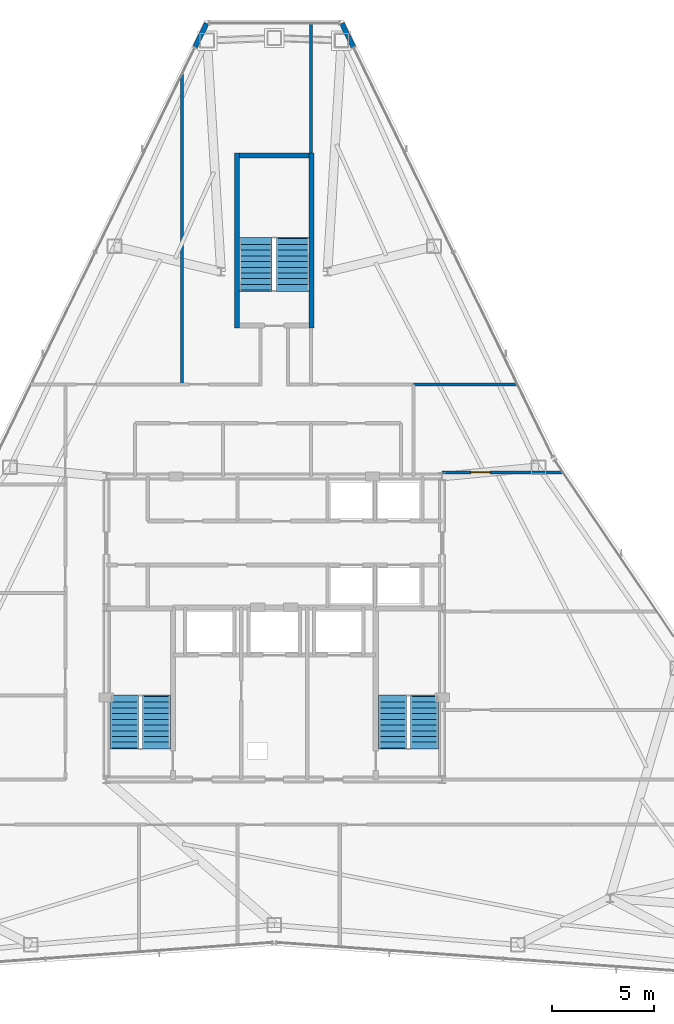
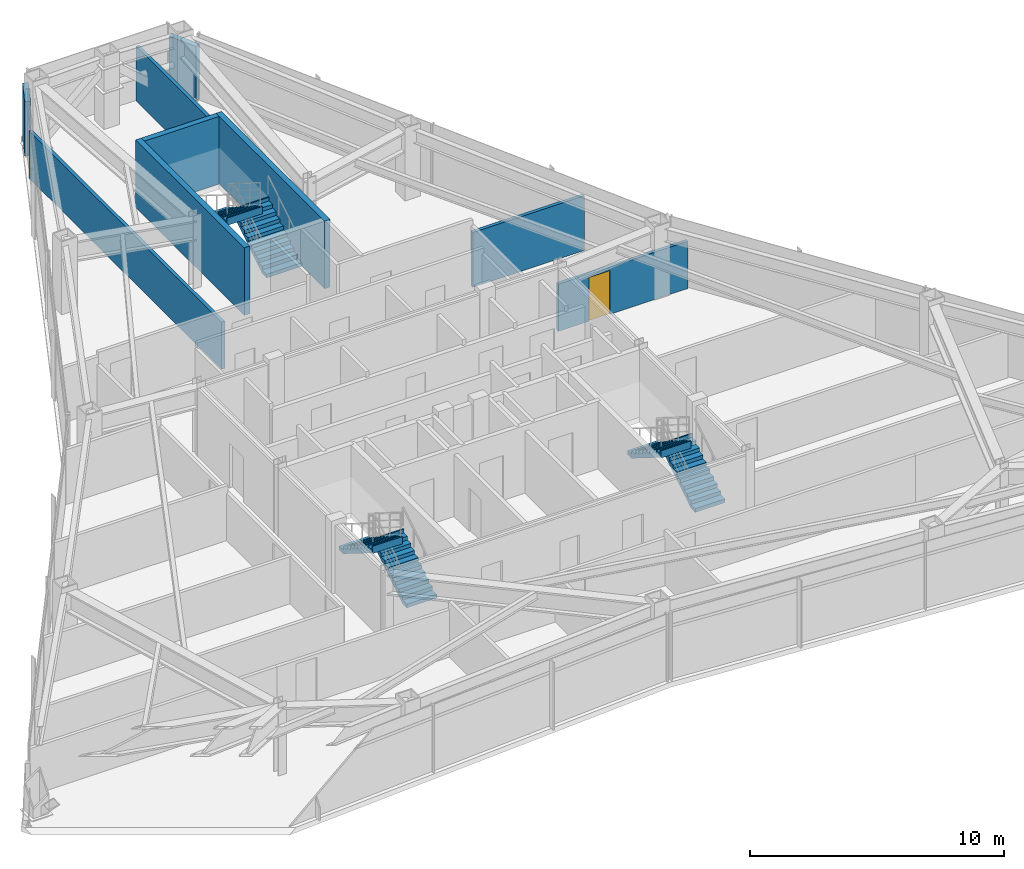
# One storey, part 11 of 12: 9 walls, 6 stair flights, 1 door, 1 opening, 3 elements without a shape of their own.
"""IFC4 building model written with IfcOpenShell, lengths in metres."""

from ifc_helpers import new_model, si_unit, direction, frame, frame_2d, origin, place, context, subcontext, project, spatial, polyline, rectangle, outline, extrude, material, layer, layer_set, type_object, element, fill, aggregate, save


model = new_model("IFC4")

# Units and contexts
model_context = context("Model", 3, precision=1e-05, world=origin(), true_north=direction((0.0, 1.0)))
body_context = subcontext(model_context, "Body", "Model", "MODEL_VIEW")
ifc_project = project(units=[si_unit("LENGTHUNIT", "METRE"), si_unit("AREAUNIT", "SQUARE_METRE"), si_unit("VOLUMEUNIT", "CUBIC_METRE"), si_unit("PLANEANGLEUNIT", "RADIAN"), si_unit("MASSUNIT", "GRAM", prefix="KILO")], contexts=[model_context])

# Site, building, storey
site_placement = place(None, origin())
site = spatial("IfcSite", under=ifc_project, at=site_placement, CompositionType="ELEMENT")
building_placement = place(site_placement, origin())
building = spatial("IfcBuilding", under=site, at=building_placement, Name="Varakhsha Concourse Tower", CompositionType="ELEMENT")
storey_placement = place(building_placement, frame((0.0, 0.0, 211.89990234375)))
storey = spatial("IfcBuildingStorey", under=building, at=storey_placement, Name="L60", CompositionType="ELEMENT", Elevation=211.89990234375)

# Walls
ifc_material_1 = material(Name="Concrete fc 45 MPa", Category="concrete")
ifc_layer_1 = layer(ifc_material_1, 0.239990234375, Name="WL-EXT-CRN-240")
ifc_layer_set_1 = layer_set([ifc_layer_1], Name="Concrete fc 45 MPa")
wall_type_1 = type_object("IfcWallType", Name="WL-EXT-CRN-240", PredefinedType="SHEAR", material=ifc_layer_set_1)
for number, where, z_axis, x_axis, name in (
    (1, (36.7001953125, 53.337890625, 0.0), (0.0, 0.0, 1.0), (-0.43755686859, -0.899190739915, 0.0), "L60 Wind-Corner Shoulder Wall F2"),
    (2, (43.86328125, 52.179931640625, 0.0), (0.0, 0.0, 1.0), (-0.43755686859, 0.899190739915, 0.0), "L60 Wind-Corner Shoulder Wall F9"),
):
    element("IfcWall", number, at=place(storey_placement, frame(where, z_axis=z_axis, x_axis=x_axis)), inside=storey, type_object=wall_type_1, Name=name, PredefinedType="SHEAR", context=body_context, shape_type="SweptSolid", body=[
        extrude(rectangle(XDim=1.287841796875, YDim=0.239990234375, at=frame_2d((0.64404296875, 0.0))), origin(), (0.0, 0.0, 1.0), 2.623046875),
    ])
ifc_material_2 = material(Name="Fire-Rated Type X Gypsum Partition Assembly", Category="gypsum")
ifc_layer_2 = layer(ifc_material_2, 0.14990234375, Name="WL-PART-150")
ifc_layer_set_2 = layer_set([ifc_layer_2], Name="Fire-Rated Type X Gypsum Partition Assembly")
wall_type_2 = type_object("IfcWallType", Name="WL-PART-150", PredefinedType="PARTITIONING", material=ifc_layer_set_2)
wall_1_placement = place(storey_placement, frame((46.800048828125, 35.699951171875, 0.0), z_axis=(0.0, 0.0, 1.0), x_axis=(1.0, 0.0, 0.0)))
element("IfcWall", 3, at=wall_1_placement, inside=storey, type_object=wall_type_2, Name="L60 Wall ODIV-EBN-L60", PredefinedType="PARTITIONING", context=body_context, shape_type="SweptSolid", body=[
    extrude(rectangle(XDim=5.07568359375, YDim=0.14990234375, at=frame_2d((2.537841796875, 0.0))), origin(), (0.0, 0.0, 1.0), 2.628173828125),
])

# Wall, opening, door
wall_2_placement = place(storey_placement, frame((48.199951171875, 31.39990234375, 0.0), z_axis=(0.0, 0.0, 1.0), x_axis=(1.0, 0.0, 0.0)))
wall_2 = element("IfcWall", 4, at=wall_2_placement, inside=storey, type_object=wall_type_2, Name="L60 Wall ODIV-E3-L60", PredefinedType="PARTITIONING", context=body_context, shape_type="SweptSolid", body=[
    extrude(rectangle(XDim=5.895751953125, YDim=0.14990234375, at=frame_2d((2.94775390625, 0.0))), origin(), (0.0, 0.0, 1.0), 2.26513671875),
])
opening_placement = place(wall_2_placement, frame((1.39990234375, 0.0, 0.0)))
opening = element("IfcOpeningElement", 5, at=opening_placement, cuts=wall_2, Name="Opening DF-05", PredefinedType="OPENING", context=body_context, shape_type="SweptSolid", body=[
    extrude(rectangle(XDim=0.949951171875, YDim=2.10009765625, at=frame_2d((0.47509765625, 1.050048828125))), frame((0.0, 0.0849609375, 0.0), z_axis=(0.0, -1.0, 0.0), x_axis=(1.0, 0.0, 0.0)), (0.0, 0.0, 1.0), 0.169921875),
])
ifc_material_3 = material(Name="Hollow Galvanised Steel Fire Door Assembly", Category="steel")
door_type = type_object("IfcDoorType", Name="DR-FD60-950", OperationType="NOTDEFINED", PredefinedType="DOOR", material=ifc_material_3)
door_placement = place(opening_placement, origin())
door = element("IfcDoor", 6, at=door_placement, inside=storey, type_object=door_type, Name="L60 East Suite Interconnect Door 3", OperationType="SINGLE_SWING_LEFT", OverallHeight=2.10009765625, OverallWidth=0.949951171875, PredefinedType="DOOR", context=body_context, shape_type="SweptSolid", body=[
    extrude(rectangle(XDim=0.949951171875, YDim=2.10009765625, at=frame_2d((0.47509765625, 1.050048828125))), frame((0.0, 0.02490234375, 0.0), z_axis=(0.0, -1.0, 0.0), x_axis=(1.0, 0.0, 0.0)), (0.0, 0.0, 1.0), 0.050048828125),
])
fill(opening, door)

# Walls
wall_3_placement = place(storey_placement, frame((35.5, 35.699951171875, 0.0), z_axis=(0.0, 0.0, 1.0), x_axis=(0.0, 1.0, 0.0)))
element("IfcWall", 7, at=wall_3_placement, inside=storey, type_object=wall_type_2, Name="L60 Wall ODIV-N1-L60", PredefinedType="PARTITIONING", context=body_context, shape_type="SweptSolid", body=[
    extrude(rectangle(XDim=15.15966796875, YDim=0.14990234375, at=frame_2d((7.579833984375, 0.0))), origin(), (0.0, 0.0, 1.0), 2.26513671875),
])
wall_4_placement = place(storey_placement, frame((41.800048828125, 47.0, 0.0), z_axis=(0.0, 0.0, 1.0), x_axis=(0.0, 1.0, 0.0)))
element("IfcWall", 8, at=wall_4_placement, inside=storey, type_object=wall_type_2, Name="L60 Wall ODIV-N2-L60-B", PredefinedType="PARTITIONING", context=body_context, shape_type="SweptSolid", body=[
    extrude(rectangle(XDim=6.332763671875, YDim=0.14990234375, at=frame_2d((3.16650390625, 0.0))), origin(), (0.0, 0.0, 1.0), 2.628173828125),
])
ifc_layer_3 = layer(ifc_material_1, 0.25, Name="WL-STAIR-250")
ifc_layer_set_3 = layer_set([ifc_layer_3], Name="Concrete fc 45 MPa")
wall_type_3 = type_object("IfcWallType", Name="WL-STAIR-250", PredefinedType="SHEAR", material=ifc_layer_set_3)
for number, where, z_axis, x_axis, name in (
    (9, (38.175048828125, 38.449951171875, 0.0), (0.0, 0.0, 1.0), (0.0, 1.0, 0.0), "L60 Wall SWALL-ST5-W-L60"),
    (10, (41.824951171875, 38.449951171875, 0.0), (0.0, 0.0, 1.0), (0.0, 1.0, 0.0), "L60 Wall SWALL-ST5-E-L60"),
):
    element("IfcWall", number, at=place(storey_placement, frame(where, z_axis=z_axis, x_axis=x_axis)), inside=storey, type_object=wall_type_3, Name=name, PredefinedType="SHEAR", context=body_context, shape_type="SweptSolid", body=[
        extrude(rectangle(XDim=8.550048828125, YDim=0.25, at=frame_2d((4.27490234375, 0.0))), origin(), (0.0, 0.0, 1.0), 3.25),
    ])
wall_5_placement = place(storey_placement, frame((38.300048828125, 46.875, 0.0), z_axis=(0.0, 0.0, 1.0), x_axis=(1.0, 0.0, 0.0)))
element("IfcWall", 11, at=wall_5_placement, inside=storey, type_object=wall_type_3, Name="L60 Wall SWALL-ST5-N-L60", PredefinedType="SHEAR", context=body_context, shape_type="SweptSolid", body=[
    extrude(rectangle(XDim=3.39990234375, YDim=0.25, at=frame_2d((1.699951171875, 0.0))), origin(), (0.0, 0.0, 1.0), 3.25),
])

# Stair, stair flights
stair_type_1 = type_object("IfcStairType", Name="ST-DOGLEG-1360", PredefinedType="HALF_TURN_STAIR", material=ifc_material_1)
stair_1_placement = place(storey_placement, origin())
stair_1 = element("IfcStair", 12, at=stair_1_placement, inside=storey, type_object=stair_type_1, Name="L60 Protected Exit Stair ST1", PredefinedType="HALF_TURN_STAIR")
stair_flight_type_1 = type_object("IfcStairFlightType", Name="STF-1360-R1750", PredefinedType="STRAIGHT", material=ifc_material_1)
stair_flight_1_placement = place(storey_placement, frame((34.239990234375, 17.93994140625, 0.0), z_axis=(0.0, 0.0, 1.0), x_axis=(0.0, 1.0, 0.0)))
stair_flight_1 = element("IfcStairFlight", 13, at=stair_flight_1_placement, type_object=stair_flight_type_1, Name="ST1 flight 1", NumberOfRisers=10, NumberOfTreads=9, PredefinedType="STRAIGHT", RiserHeight=0.175, TreadLength=0.28, context=body_context, shape_type="SweptSolid", body=[
    extrude(outline(polyline([(-0.06005859375, 0.0), (-0.06005859375, 0.175048828125), (0.0, 0.175048828125), (0.280029296875, 0.175048828125), (0.280029296875, 0.35009765625), (0.56005859375, 0.35009765625), (0.56005859375, 0.52490234375), (0.840087890625, 0.52490234375), (0.840087890625, 0.699951171875), (1.1201171875, 0.699951171875), (1.1201171875, 0.875), (1.39990234375, 0.875), (1.39990234375, 1.050048828125), (1.679931640625, 1.050048828125), (1.679931640625, 1.22509765625), (1.9599609375, 1.22509765625), (1.9599609375, 1.39990234375), (2.239990234375, 1.39990234375), (2.239990234375, 1.574951171875), (2.52001953125, 1.574951171875), (2.52001953125, 1.75), (2.580078125, 1.75), (2.580078125, 1.398193359375), (2.52001953125, 1.398193359375), (0.28271484375, 0.0), (-0.06005859375, 0.0)])), frame((0.0, 0.68017578125, 0.0), z_axis=(0.0, -1.0, 0.0), x_axis=(1.0, 0.0, 0.0)), (0.0, 0.0, 1.0), 1.360107421875),
])
stair_flight_2_placement = place(storey_placement, frame((32.679931640625, 20.4599609375, 1.75), z_axis=(0.0, 0.0, 1.0), x_axis=(0.0, -1.0, 0.0)))
stair_flight_2 = element("IfcStairFlight", 14, at=stair_flight_2_placement, type_object=stair_flight_type_1, Name="ST1 flight 2", NumberOfRisers=10, NumberOfTreads=9, PredefinedType="STRAIGHT", RiserHeight=0.175, TreadLength=0.28, context=body_context, shape_type="SweptSolid", body=[
    extrude(outline(polyline([(-0.06005859375, 0.0), (-0.06005859375, 0.175048828125), (0.0, 0.175048828125), (0.280029296875, 0.175048828125), (0.280029296875, 0.35009765625), (0.56005859375, 0.35009765625), (0.56005859375, 0.52490234375), (0.840087890625, 0.52490234375), (0.840087890625, 0.699951171875), (1.1201171875, 0.699951171875), (1.1201171875, 0.875), (1.39990234375, 0.875), (1.39990234375, 1.050048828125), (1.679931640625, 1.050048828125), (1.679931640625, 1.22509765625), (1.9599609375, 1.22509765625), (1.9599609375, 1.39990234375), (2.239990234375, 1.39990234375), (2.239990234375, 1.574951171875), (2.52001953125, 1.574951171875), (2.52001953125, 1.75), (2.580078125, 1.75), (2.580078125, 1.398193359375), (2.52001953125, 1.398193359375), (0.28271484375, 0.0), (-0.06005859375, 0.0)])), frame((0.0, 0.68017578125, 0.0), z_axis=(0.0, -1.0, 0.0), x_axis=(1.0, 0.0, 0.0)), (0.0, 0.0, 1.0), 1.360107421875),
])
aggregate(stair_1, [stair_flight_1, stair_flight_2])

stair_2_placement = place(storey_placement, origin())
stair_2 = element("IfcStair", 15, at=stair_2_placement, inside=storey, type_object=stair_type_1, Name="L60 Protected Exit Stair ST2", PredefinedType="HALF_TURN_STAIR")
stair_flight_3_placement = place(storey_placement, frame((47.340087890625, 17.93994140625, 0.0), z_axis=(0.0, 0.0, 1.0), x_axis=(0.0, 1.0, 0.0)))
stair_flight_3 = element("IfcStairFlight", 16, at=stair_flight_3_placement, type_object=stair_flight_type_1, Name="ST2 flight 1", NumberOfRisers=10, NumberOfTreads=9, PredefinedType="STRAIGHT", RiserHeight=0.175, TreadLength=0.28, context=body_context, shape_type="SweptSolid", body=[
    extrude(outline(polyline([(-0.06005859375, 0.0), (-0.06005859375, 0.175048828125), (0.0, 0.175048828125), (0.280029296875, 0.175048828125), (0.280029296875, 0.35009765625), (0.56005859375, 0.35009765625), (0.56005859375, 0.52490234375), (0.840087890625, 0.52490234375), (0.840087890625, 0.699951171875), (1.1201171875, 0.699951171875), (1.1201171875, 0.875), (1.39990234375, 0.875), (1.39990234375, 1.050048828125), (1.679931640625, 1.050048828125), (1.679931640625, 1.22509765625), (1.9599609375, 1.22509765625), (1.9599609375, 1.39990234375), (2.239990234375, 1.39990234375), (2.239990234375, 1.574951171875), (2.52001953125, 1.574951171875), (2.52001953125, 1.75), (2.580078125, 1.75), (2.580078125, 1.398193359375), (2.52001953125, 1.398193359375), (0.28271484375, 0.0), (-0.06005859375, 0.0)])), frame((0.0, 0.68017578125, 0.0), z_axis=(0.0, -1.0, 0.0), x_axis=(1.0, 0.0, 0.0)), (0.0, 0.0, 1.0), 1.360107421875),
])
stair_flight_4_placement = place(storey_placement, frame((45.780029296875, 20.4599609375, 1.75), z_axis=(0.0, 0.0, 1.0), x_axis=(0.0, -1.0, 0.0)))
stair_flight_4 = element("IfcStairFlight", 17, at=stair_flight_4_placement, type_object=stair_flight_type_1, Name="ST2 flight 2", NumberOfRisers=10, NumberOfTreads=9, PredefinedType="STRAIGHT", RiserHeight=0.175, TreadLength=0.28, context=body_context, shape_type="SweptSolid", body=[
    extrude(outline(polyline([(-0.06005859375, 0.0), (-0.06005859375, 0.175048828125), (0.0, 0.175048828125), (0.280029296875, 0.175048828125), (0.280029296875, 0.35009765625), (0.56005859375, 0.35009765625), (0.56005859375, 0.52490234375), (0.840087890625, 0.52490234375), (0.840087890625, 0.699951171875), (1.1201171875, 0.699951171875), (1.1201171875, 0.875), (1.39990234375, 0.875), (1.39990234375, 1.050048828125), (1.679931640625, 1.050048828125), (1.679931640625, 1.22509765625), (1.9599609375, 1.22509765625), (1.9599609375, 1.39990234375), (2.239990234375, 1.39990234375), (2.239990234375, 1.574951171875), (2.52001953125, 1.574951171875), (2.52001953125, 1.75), (2.580078125, 1.75), (2.580078125, 1.398193359375), (2.52001953125, 1.398193359375), (0.28271484375, 0.0), (-0.06005859375, 0.0)])), frame((0.0, 0.68017578125, 0.0), z_axis=(0.0, -1.0, 0.0), x_axis=(1.0, 0.0, 0.0)), (0.0, 0.0, 1.0), 1.360107421875),
])
aggregate(stair_2, [stair_flight_3, stair_flight_4])

stair_type_2 = type_object("IfcStairType", Name="ST-DOGLEG-1600", PredefinedType="HALF_TURN_STAIR", material=ifc_material_1)
stair_3_placement = place(storey_placement, origin())
stair_3 = element("IfcStair", 18, at=stair_3_placement, inside=storey, type_object=stair_type_2, Name="L60 Protected Exit Stair ST5", PredefinedType="HALF_TURN_STAIR")
stair_flight_type_2 = type_object("IfcStairFlightType", Name="STF-1600-R1750", PredefinedType="STRAIGHT", material=ifc_material_1)
stair_flight_5_placement = place(storey_placement, frame((40.89990234375, 40.300048828125, 0.0), z_axis=(0.0, 0.0, 1.0), x_axis=(0.0, 1.0, 0.0)))
stair_flight_5 = element("IfcStairFlight", 19, at=stair_flight_5_placement, type_object=stair_flight_type_2, Name="ST5 flight 1", NumberOfRisers=10, NumberOfTreads=9, PredefinedType="STRAIGHT", RiserHeight=0.175, TreadLength=0.28, context=body_context, shape_type="SweptSolid", body=[
    extrude(outline(polyline([(-0.06005859375, 0.0), (-0.06005859375, 0.175048828125), (0.0, 0.175048828125), (0.280029296875, 0.175048828125), (0.280029296875, 0.35009765625), (0.56005859375, 0.35009765625), (0.56005859375, 0.52490234375), (0.840087890625, 0.52490234375), (0.840087890625, 0.699951171875), (1.1201171875, 0.699951171875), (1.1201171875, 0.875), (1.39990234375, 0.875), (1.39990234375, 1.050048828125), (1.679931640625, 1.050048828125), (1.679931640625, 1.22509765625), (1.9599609375, 1.22509765625), (1.9599609375, 1.39990234375), (2.239990234375, 1.39990234375), (2.239990234375, 1.574951171875), (2.52001953125, 1.574951171875), (2.52001953125, 1.75), (2.580078125, 1.75), (2.580078125, 1.398193359375), (2.52001953125, 1.398193359375), (0.28271484375, 0.0), (-0.06005859375, 0.0)])), frame((0.0, 0.800048828125, 0.0), z_axis=(0.0, -1.0, 0.0), x_axis=(1.0, 0.0, 0.0)), (0.0, 0.0, 1.0), 1.60009765625),
])
stair_flight_6_placement = place(storey_placement, frame((39.10009765625, 42.820068359375, 1.75), z_axis=(0.0, 0.0, 1.0), x_axis=(0.0, -1.0, 0.0)))
stair_flight_6 = element("IfcStairFlight", 20, at=stair_flight_6_placement, type_object=stair_flight_type_2, Name="ST5 flight 2", NumberOfRisers=10, NumberOfTreads=9, PredefinedType="STRAIGHT", RiserHeight=0.175, TreadLength=0.28, context=body_context, shape_type="SweptSolid", body=[
    extrude(outline(polyline([(-0.06005859375, 0.0), (-0.06005859375, 0.175048828125), (0.0, 0.175048828125), (0.280029296875, 0.175048828125), (0.280029296875, 0.35009765625), (0.56005859375, 0.35009765625), (0.56005859375, 0.52490234375), (0.840087890625, 0.52490234375), (0.840087890625, 0.699951171875), (1.1201171875, 0.699951171875), (1.1201171875, 0.875), (1.39990234375, 0.875), (1.39990234375, 1.050048828125), (1.679931640625, 1.050048828125), (1.679931640625, 1.22509765625), (1.9599609375, 1.22509765625), (1.9599609375, 1.39990234375), (2.239990234375, 1.39990234375), (2.239990234375, 1.574951171875), (2.52001953125, 1.574951171875), (2.52001953125, 1.75), (2.580078125, 1.75), (2.580078125, 1.398193359375), (2.52001953125, 1.398193359375), (0.28271484375, 0.0), (-0.06005859375, 0.0)])), frame((0.0, 0.800048828125, 0.0), z_axis=(0.0, -1.0, 0.0), x_axis=(1.0, 0.0, 0.0)), (0.0, 0.0, 1.0), 1.60009765625),
])
aggregate(stair_3, [stair_flight_5, stair_flight_6])

save(model, "model.ifc")
